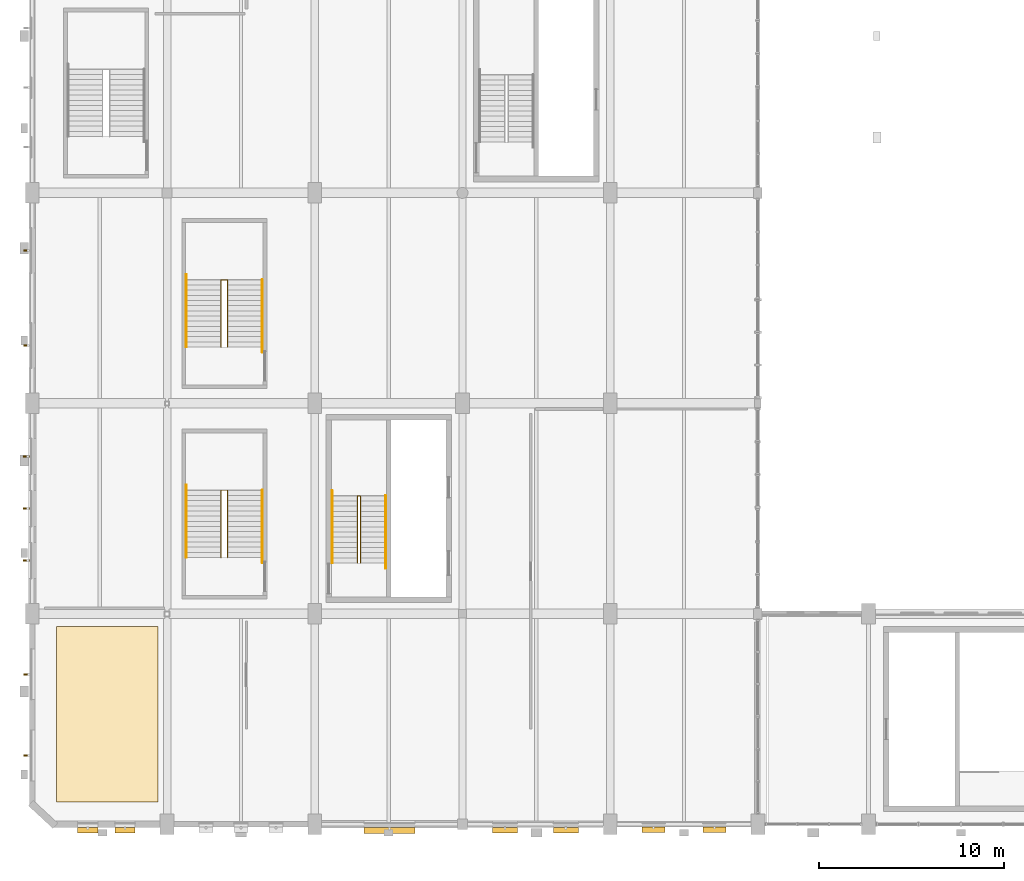
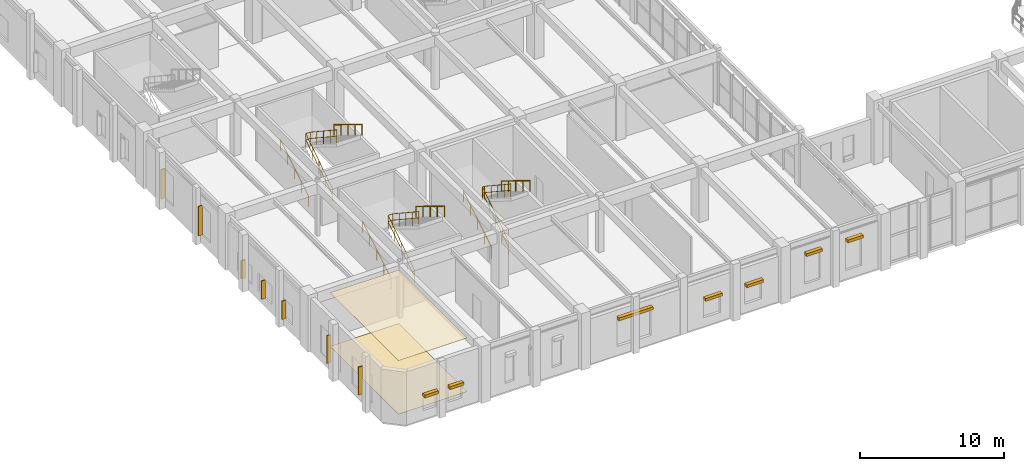
# One storey, part 96 of 106: 14 shading devices, 9 railings, 2 coverings.
"""IFC4 building model written with IfcOpenShell, lengths in metres."""

from ifc_helpers import new_model, si_unit, direction, frame, origin, origin_2d, place, context, subcontext, project, spatial, polyline, rectangle, circle, outline, extrude, material, layer, layer_set, type_object, element, save


model = new_model("IFC4")

# Units and contexts
model_context = context("Model", 3, precision=1e-05, world=origin(), true_north=direction((0.0, 1.0)))
body_context = subcontext(model_context, "Body", "Model", "MODEL_VIEW")
ifc_project = project(units=[si_unit("LENGTHUNIT", "METRE"), si_unit("AREAUNIT", "SQUARE_METRE"), si_unit("VOLUMEUNIT", "CUBIC_METRE"), si_unit("PLANEANGLEUNIT", "RADIAN"), si_unit("MASSUNIT", "GRAM", prefix="KILO"), si_unit("POWERUNIT", "WATT"), si_unit("THERMODYNAMICTEMPERATUREUNIT", "KELVIN")], contexts=[model_context])

# Site, building, storey
site_placement = place(None, origin())
site = spatial("IfcSite", under=ifc_project, at=site_placement, CompositionType="ELEMENT")
building_placement = place(site_placement, origin())
building = spatial("IfcBuilding", under=site, at=building_placement, Name="Kelmbourne Parkland Aquatics Centre", CompositionType="ELEMENT")
storey_placement = place(building_placement, frame((0.0, 0.0, 5.39990234375)))
storey = spatial("IfcBuildingStorey", under=building, at=storey_placement, Name="L01", CompositionType="ELEMENT", Elevation=5.39990234375)

# Coverings
ifc_material_1 = material(Name="Moisture-resistant acoustic mineral-fibre baffle ceiling", Category="gypsum")
ifc_layer_1 = layer(ifc_material_1, 0.02490234375)
ifc_layer_set_1 = layer_set([ifc_layer_1], Name="Moisture-resistant acoustic mineral-fibre baffle ceiling")
covering_type_1 = type_object("IfcCoveringType", Name="COV-CLG-AC", PredefinedType="CEILING", material=ifc_layer_set_1)
covering_1_placement = place(storey_placement, frame((0.0, 0.0, 4.53515625)))
element("IfcCovering", 1, at=covering_1_placement, inside=storey, type_object=covering_type_1, Name="Gym acoustic ceiling baffles", PredefinedType="CEILING", context=body_context, shape_type="SweptSolid", body=[
    extrude(outline(polyline([(2.0, 2.0), (7.5, 2.0), (7.5, 11.5), (2.0, 11.5), (2.0, 2.0)])), origin(), (0.0, 0.0, 1.0), 0.02490234375),
])
ifc_material_2 = material(Name="Anti-slip vitrified ceramic aquatic deck tile", Category="ceramic")
ifc_layer_2 = layer(ifc_material_2, 0.02001953125)
ifc_layer_set_2 = layer_set([ifc_layer_2], Name="Anti-slip vitrified ceramic aquatic deck tile")
covering_type_2 = type_object("IfcCoveringType", Name="COV-FLR-TILE", PredefinedType="FLOORING", material=ifc_layer_set_2)
covering_2_placement = place(storey_placement, origin())
element("IfcCovering", 2, at=covering_2_placement, inside=storey, type_object=covering_type_2, Name="Gym anti-slip floor tiling", PredefinedType="FLOORING", context=body_context, shape_type="SweptSolid", body=[
    extrude(outline(polyline([(2.0, 2.0), (7.5, 2.0), (7.5, 11.5), (2.0, 11.5), (2.0, 2.0)])), origin(), (0.0, 0.0, 1.0), 0.02001953125),
])

# Railings
ifc_material_3 = material(Name="Grade 316 marine stainless steel", Category="steel")
railing_type_1 = type_object("IfcRailingType", Name="RL-GD-112", PredefinedType="GUARDRAIL", material=ifc_material_3)
railing_1_placement = place(storey_placement, frame((18.307373046875, 14.949951171875, 0.0)))
element("IfcRailing", 3, at=railing_1_placement, inside=storey, type_object=railing_type_1, Name="West Wing South Fire-Fighting Core Stair ST01 well guardrail", PredefinedType="GUARDRAIL", context=body_context, shape_type="SweptSolid", body=[
    extrude(circle(Radius=0.02392578125, at=origin_2d()), frame((0.0, 0.0, 1.09619140625), z_axis=(0.0, 0.834856447115, 0.55046772177), x_axis=(-1.0, 0.0, 0.0)), (0.0, 0.0, 1.0), 4.360107421875),
    extrude(circle(Radius=0.02392578125, at=origin_2d()), frame((0.0, 0.0, 0.56005859375), z_axis=(0.0, 0.834856447115, 0.55046772177), x_axis=(-1.0, 0.0, 0.0)), (0.0, 0.0, 1.0), 4.360107421875),
    extrude(circle(Radius=0.02392578125, at=origin_2d()), frame((0.0, 3.64013671875, 3.49609375), z_axis=(1.0, 0.0, 0.0), x_axis=(0.0, 1.0, 0.0)), (0.0, 0.0, 1.0), 0.16015625),
    extrude(circle(Radius=0.02392578125, at=origin_2d()), frame((0.0, 3.64013671875, 2.960205078125), z_axis=(1.0, 0.0, 0.0), x_axis=(0.0, 1.0, 0.0)), (0.0, 0.0, 1.0), 0.16015625),
    extrude(circle(Radius=0.02392578125, at=origin_2d()), frame((0.16015625, 3.64013671875, 3.49609375), z_axis=(0.0, -0.83488217925, 0.55042869363), x_axis=(1.0, 0.0, 0.0)), (0.0, 0.0, 1.0), 4.360107421875),
    extrude(circle(Radius=0.02392578125, at=origin_2d()), frame((0.16015625, 3.64013671875, 2.960205078125), z_axis=(0.0, -0.83488217925, 0.55042869363), x_axis=(1.0, 0.0, 0.0)), (0.0, 0.0, 1.0), 4.360107421875),
    extrude(circle(Radius=0.02099609375, at=origin_2d()), origin(), (0.0, 0.0, 1.0), 1.072021484375),
    extrude(circle(Radius=0.02099609375, at=origin_2d()), frame((0.0, 0.91015625, 0.60009765625)), (0.0, 0.0, 1.0), 1.072021484375),
    extrude(circle(Radius=0.02099609375, at=origin_2d()), frame((0.0, 1.820068359375, 1.2001953125)), (0.0, 0.0, 1.0), 1.072021484375),
    extrude(circle(Radius=0.02099609375, at=origin_2d()), frame((0.0, 2.72998046875, 1.800048828125)), (0.0, 0.0, 1.0), 1.072021484375),
    extrude(circle(Radius=0.02099609375, at=origin_2d()), frame((0.0, 3.64013671875, 2.400146484375)), (0.0, 0.0, 1.0), 1.072021484375),
    extrude(circle(Radius=0.02099609375, at=origin_2d()), frame((0.16015625, 3.64013671875, 2.400146484375)), (0.0, 0.0, 1.0), 1.072021484375),
    extrude(circle(Radius=0.02099609375, at=origin_2d()), frame((0.16015625, 2.72998046875, 3.0)), (0.0, 0.0, 1.0), 1.072021484375),
    extrude(circle(Radius=0.02099609375, at=origin_2d()), frame((0.16015625, 1.820068359375, 3.60009765625)), (0.0, 0.0, 1.0), 1.072021484375),
    extrude(circle(Radius=0.02099609375, at=origin_2d()), frame((0.16015625, 0.91015625, 4.2001953125)), (0.0, 0.0, 1.0), 1.072021484375),
    extrude(circle(Radius=0.02099609375, at=origin_2d()), frame((0.16015625, 0.0, 4.800048828125)), (0.0, 0.0, 1.0), 1.072021484375),
])
railing_2_placement = place(storey_placement, frame((10.919921875, 15.25, 0.0)))
element("IfcRailing", 4, at=railing_2_placement, inside=storey, type_object=railing_type_1, Name="West South Perimeter Exit Stair well guardrail", PredefinedType="GUARDRAIL", context=body_context, shape_type="SweptSolid", body=[
    extrude(circle(Radius=0.02392578125, at=origin_2d()), frame((0.0, 0.0, 1.09619140625), z_axis=(0.0, 0.834839479206, 0.550493454965), x_axis=(-1.0, 0.0, 0.0)), (0.0, 0.0, 1.0), 4.360107421875),
    extrude(circle(Radius=0.02392578125, at=origin_2d()), frame((0.0, 0.0, 0.56005859375), z_axis=(0.0, 0.834839479206, 0.550493454965), x_axis=(-1.0, 0.0, 0.0)), (0.0, 0.0, 1.0), 4.360107421875),
    extrude(circle(Radius=0.02392578125, at=origin_2d()), frame((0.0, 3.639892578125, 3.49609375), z_axis=(1.0, 0.0, 0.0), x_axis=(0.0, 1.0, 0.0)), (0.0, 0.0, 1.0), 0.360107421875),
    extrude(circle(Radius=0.02392578125, at=origin_2d()), frame((0.0, 3.639892578125, 2.960205078125), z_axis=(1.0, 0.0, 0.0), x_axis=(0.0, 1.0, 0.0)), (0.0, 0.0, 1.0), 0.360107421875),
    extrude(circle(Radius=0.02392578125, at=origin_2d()), frame((0.360107421875, 3.639892578125, 3.49609375), z_axis=(0.0, -0.834865213223, 0.550454426587), x_axis=(1.0, 0.0, 0.0)), (0.0, 0.0, 1.0), 4.35986328125),
    extrude(circle(Radius=0.02392578125, at=origin_2d()), frame((0.360107421875, 3.639892578125, 2.960205078125), z_axis=(0.0, -0.834865213223, 0.550454426587), x_axis=(1.0, 0.0, 0.0)), (0.0, 0.0, 1.0), 4.35986328125),
    extrude(circle(Radius=0.02099609375, at=origin_2d()), origin(), (0.0, 0.0, 1.0), 1.072021484375),
    extrude(circle(Radius=0.02099609375, at=origin_2d()), frame((0.0, 0.909912109375, 0.60009765625)), (0.0, 0.0, 1.0), 1.072021484375),
    extrude(circle(Radius=0.02099609375, at=origin_2d()), frame((0.0, 1.81982421875, 1.2001953125)), (0.0, 0.0, 1.0), 1.072021484375),
    extrude(circle(Radius=0.02099609375, at=origin_2d()), frame((0.0, 2.72998046875, 1.800048828125)), (0.0, 0.0, 1.0), 1.072021484375),
    extrude(circle(Radius=0.02099609375, at=origin_2d()), frame((0.0, 3.639892578125, 2.400146484375)), (0.0, 0.0, 1.0), 1.072021484375),
    extrude(circle(Radius=0.02099609375, at=origin_2d()), frame((0.360107421875, 3.639892578125, 2.400146484375)), (0.0, 0.0, 1.0), 1.072021484375),
    extrude(circle(Radius=0.02099609375, at=origin_2d()), frame((0.360107421875, 2.72998046875, 3.0)), (0.0, 0.0, 1.0), 1.072021484375),
    extrude(circle(Radius=0.02099609375, at=origin_2d()), frame((0.360107421875, 1.81982421875, 3.60009765625)), (0.0, 0.0, 1.0), 1.072021484375),
    extrude(circle(Radius=0.02099609375, at=origin_2d()), frame((0.360107421875, 0.909912109375, 4.2001953125)), (0.0, 0.0, 1.0), 1.072021484375),
    extrude(circle(Radius=0.02099609375, at=origin_2d()), frame((0.360107421875, 0.0, 4.800048828125)), (0.0, 0.0, 1.0), 1.072021484375),
])
railing_3_placement = place(storey_placement, frame((10.919921875, 26.64990234375, 0.0)))
element("IfcRailing", 5, at=railing_3_placement, inside=storey, type_object=railing_type_1, Name="West Central Park Exit Stair well guardrail", PredefinedType="GUARDRAIL", context=body_context, shape_type="SweptSolid", body=[
    extrude(circle(Radius=0.02392578125, at=origin_2d()), frame((0.0, 0.0, 1.09619140625), z_axis=(0.0, 0.834856447115, 0.55046772177), x_axis=(-1.0, 0.0, 0.0)), (0.0, 0.0, 1.0), 4.360107421875),
    extrude(circle(Radius=0.02392578125, at=origin_2d()), frame((0.0, 0.0, 0.56005859375), z_axis=(0.0, 0.834856447115, 0.55046772177), x_axis=(-1.0, 0.0, 0.0)), (0.0, 0.0, 1.0), 4.360107421875),
    extrude(circle(Radius=0.02392578125, at=origin_2d()), frame((0.0, 3.64013671875, 3.49609375), z_axis=(1.0, 0.0, 0.0), x_axis=(0.0, 1.0, 0.0)), (0.0, 0.0, 1.0), 0.360107421875),
    extrude(circle(Radius=0.02392578125, at=origin_2d()), frame((0.0, 3.64013671875, 2.960205078125), z_axis=(1.0, 0.0, 0.0), x_axis=(0.0, 1.0, 0.0)), (0.0, 0.0, 1.0), 0.360107421875),
    extrude(circle(Radius=0.02392578125, at=origin_2d()), frame((0.360107421875, 3.64013671875, 3.49609375), z_axis=(0.0, -0.83488217925, 0.55042869363), x_axis=(1.0, 0.0, 0.0)), (0.0, 0.0, 1.0), 4.360107421875),
    extrude(circle(Radius=0.02392578125, at=origin_2d()), frame((0.360107421875, 3.64013671875, 2.960205078125), z_axis=(0.0, -0.83488217925, 0.55042869363), x_axis=(1.0, 0.0, 0.0)), (0.0, 0.0, 1.0), 4.360107421875),
    extrude(circle(Radius=0.02099609375, at=origin_2d()), origin(), (0.0, 0.0, 1.0), 1.072021484375),
    extrude(circle(Radius=0.02099609375, at=origin_2d()), frame((0.0, 0.91015625, 0.60009765625)), (0.0, 0.0, 1.0), 1.072021484375),
    extrude(circle(Radius=0.02099609375, at=origin_2d()), frame((0.0, 1.820068359375, 1.2001953125)), (0.0, 0.0, 1.0), 1.072021484375),
    extrude(circle(Radius=0.02099609375, at=origin_2d()), frame((0.0, 2.72998046875, 1.800048828125)), (0.0, 0.0, 1.0), 1.072021484375),
    extrude(circle(Radius=0.02099609375, at=origin_2d()), frame((0.0, 3.64013671875, 2.400146484375)), (0.0, 0.0, 1.0), 1.072021484375),
    extrude(circle(Radius=0.02099609375, at=origin_2d()), frame((0.360107421875, 3.64013671875, 2.400146484375)), (0.0, 0.0, 1.0), 1.072021484375),
    extrude(circle(Radius=0.02099609375, at=origin_2d()), frame((0.360107421875, 2.72998046875, 3.0)), (0.0, 0.0, 1.0), 1.072021484375),
    extrude(circle(Radius=0.02099609375, at=origin_2d()), frame((0.360107421875, 1.820068359375, 3.60009765625)), (0.0, 0.0, 1.0), 1.072021484375),
    extrude(circle(Radius=0.02099609375, at=origin_2d()), frame((0.360107421875, 0.91015625, 4.2001953125)), (0.0, 0.0, 1.0), 1.072021484375),
    extrude(circle(Radius=0.02099609375, at=origin_2d()), frame((0.360107421875, 0.0, 4.800048828125)), (0.0, 0.0, 1.0), 1.072021484375),
])
railing_type_2 = type_object("IfcRailingType", Name="RL-HR-92", PredefinedType="HANDRAIL", material=ifc_material_3)
railing_4_placement = place(storey_placement, frame((16.93994140625, 14.949951171875, 0.17138671875)))
element("IfcRailing", 6, at=railing_4_placement, inside=storey, type_object=railing_type_2, Name="West Wing South Fire-Fighting Core Stair ST01 F1 handrail", PredefinedType="HANDRAIL", context=body_context, shape_type="SweptSolid", body=[
    extrude(circle(Radius=0.02392578125, at=origin_2d()), frame((0.0, 0.0, 0.89599609375), z_axis=(0.0, 0.852846959695, 0.522160955394), x_axis=(-1.0, 0.0, 0.0)), (0.0, 0.0, 1.0), 4.5966796875),
    extrude(circle(Radius=0.02099609375, at=origin_2d()), origin(), (0.0, 0.0, 1.0), 0.871826171875),
    extrude(circle(Radius=0.02099609375, at=origin_2d()), frame((0.0, 0.97998046875, 0.60009765625)), (0.0, 0.0, 1.0), 0.871826171875),
    extrude(circle(Radius=0.02099609375, at=origin_2d()), frame((0.0, 1.9599609375, 1.2001953125)), (0.0, 0.0, 1.0), 0.871826171875),
    extrude(circle(Radius=0.02099609375, at=origin_2d()), frame((0.0, 2.940185546875, 1.800048828125)), (0.0, 0.0, 1.0), 0.871826171875),
    extrude(circle(Radius=0.02099609375, at=origin_2d()), frame((0.0, 3.920166015625, 2.400146484375)), (0.0, 0.0, 1.0), 0.871826171875),
])
railing_5_placement = place(storey_placement, frame((19.8349609375, 18.590087890625, 2.571533203125)))
element("IfcRailing", 7, at=railing_5_placement, inside=storey, type_object=railing_type_2, Name="West Wing South Fire-Fighting Core Stair ST01 F2 handrail", PredefinedType="HANDRAIL", context=body_context, shape_type="SweptSolid", body=[
    extrude(circle(Radius=0.02392578125, at=origin_2d()), frame((0.0, 0.0, 0.89599609375), z_axis=(0.0, -0.852870612257, 0.522122321634), x_axis=(1.0, 0.0, 0.0)), (0.0, 0.0, 1.0), 4.596435546875),
    extrude(circle(Radius=0.02099609375, at=origin_2d()), origin(), (0.0, 0.0, 1.0), 0.871826171875),
    extrude(circle(Radius=0.02099609375, at=origin_2d()), frame((0.0, -0.97998046875, 0.60009765625)), (0.0, 0.0, 1.0), 0.871826171875),
    extrude(circle(Radius=0.02099609375, at=origin_2d()), frame((0.0, -1.9599609375, 1.199951171875)), (0.0, 0.0, 1.0), 0.871826171875),
    extrude(circle(Radius=0.02099609375, at=origin_2d()), frame((0.0, -2.940185546875, 1.7998046875)), (0.0, 0.0, 1.0), 0.871826171875),
    extrude(circle(Radius=0.02099609375, at=origin_2d()), frame((0.0, -3.920166015625, 2.39990234375)), (0.0, 0.0, 1.0), 0.871826171875),
])
railing_6_placement = place(storey_placement, frame((9.0400390625, 15.25, 0.17138671875)))
element("IfcRailing", 8, at=railing_6_placement, inside=storey, type_object=railing_type_2, Name="West South Perimeter Exit Stair F1 handrail", PredefinedType="HANDRAIL", context=body_context, shape_type="SweptSolid", body=[
    extrude(circle(Radius=0.02392578125, at=origin_2d()), frame((0.0, 0.0, 0.89599609375), z_axis=(0.0, 0.852832477147, 0.522184609045), x_axis=(-1.0, 0.0, 0.0)), (0.0, 0.0, 1.0), 4.596435546875),
    extrude(circle(Radius=0.02099609375, at=origin_2d()), origin(), (0.0, 0.0, 1.0), 0.871826171875),
    extrude(circle(Radius=0.02099609375, at=origin_2d()), frame((0.0, 0.97998046875, 0.60009765625)), (0.0, 0.0, 1.0), 0.871826171875),
    extrude(circle(Radius=0.02099609375, at=origin_2d()), frame((0.0, 1.9599609375, 1.2001953125)), (0.0, 0.0, 1.0), 0.871826171875),
    extrude(circle(Radius=0.02099609375, at=origin_2d()), frame((0.0, 2.93994140625, 1.800048828125)), (0.0, 0.0, 1.0), 0.871826171875),
    extrude(circle(Radius=0.02099609375, at=origin_2d()), frame((0.0, 3.919921875, 2.400146484375)), (0.0, 0.0, 1.0), 0.871826171875),
])
railing_7_placement = place(storey_placement, frame((13.159912109375, 18.889892578125, 2.571533203125)))
element("IfcRailing", 9, at=railing_7_placement, inside=storey, type_object=railing_type_2, Name="West South Perimeter Exit Stair F2 handrail", PredefinedType="HANDRAIL", context=body_context, shape_type="SweptSolid", body=[
    extrude(circle(Radius=0.02392578125, at=origin_2d()), frame((0.0, 0.0, 0.89599609375), z_axis=(0.0, -0.852856131449, 0.522145974847), x_axis=(1.0, 0.0, 0.0)), (0.0, 0.0, 1.0), 4.59619140625),
    extrude(circle(Radius=0.02099609375, at=origin_2d()), origin(), (0.0, 0.0, 1.0), 0.871826171875),
    extrude(circle(Radius=0.02099609375, at=origin_2d()), frame((0.0, -0.97998046875, 0.60009765625)), (0.0, 0.0, 1.0), 0.871826171875),
    extrude(circle(Radius=0.02099609375, at=origin_2d()), frame((0.0, -1.9599609375, 1.199951171875)), (0.0, 0.0, 1.0), 0.871826171875),
    extrude(circle(Radius=0.02099609375, at=origin_2d()), frame((0.0, -2.93994140625, 1.7998046875)), (0.0, 0.0, 1.0), 0.871826171875),
    extrude(circle(Radius=0.02099609375, at=origin_2d()), frame((0.0, -3.919921875, 2.39990234375)), (0.0, 0.0, 1.0), 0.871826171875),
])
railing_8_placement = place(storey_placement, frame((9.0400390625, 26.64990234375, 0.17138671875)))
element("IfcRailing", 10, at=railing_8_placement, inside=storey, type_object=railing_type_2, Name="West Central Park Exit Stair F1 handrail", PredefinedType="HANDRAIL", context=body_context, shape_type="SweptSolid", body=[
    extrude(circle(Radius=0.02392578125, at=origin_2d()), frame((0.0, 0.0, 0.89599609375), z_axis=(0.0, 0.852846959695, 0.522160955394), x_axis=(-1.0, 0.0, 0.0)), (0.0, 0.0, 1.0), 4.5966796875),
    extrude(circle(Radius=0.02099609375, at=origin_2d()), origin(), (0.0, 0.0, 1.0), 0.871826171875),
    extrude(circle(Radius=0.02099609375, at=origin_2d()), frame((0.0, 0.97998046875, 0.60009765625)), (0.0, 0.0, 1.0), 0.871826171875),
    extrude(circle(Radius=0.02099609375, at=origin_2d()), frame((0.0, 1.9599609375, 1.2001953125)), (0.0, 0.0, 1.0), 0.871826171875),
    extrude(circle(Radius=0.02099609375, at=origin_2d()), frame((0.0, 2.940185546875, 1.800048828125)), (0.0, 0.0, 1.0), 0.871826171875),
    extrude(circle(Radius=0.02099609375, at=origin_2d()), frame((0.0, 3.920166015625, 2.400146484375)), (0.0, 0.0, 1.0), 0.871826171875),
])
railing_9_placement = place(storey_placement, frame((13.159912109375, 30.2900390625, 2.571533203125)))
element("IfcRailing", 11, at=railing_9_placement, inside=storey, type_object=railing_type_2, Name="West Central Park Exit Stair F2 handrail", PredefinedType="HANDRAIL", context=body_context, shape_type="SweptSolid", body=[
    extrude(circle(Radius=0.02392578125, at=origin_2d()), frame((0.0, 0.0, 0.89599609375), z_axis=(0.0, -0.852856131449, 0.522145974847), x_axis=(1.0, 0.0, 0.0)), (0.0, 0.0, 1.0), 4.59619140625),
    extrude(circle(Radius=0.02099609375, at=origin_2d()), origin(), (0.0, 0.0, 1.0), 0.871826171875),
    extrude(circle(Radius=0.02099609375, at=origin_2d()), frame((0.0, -0.97998046875, 0.60009765625)), (0.0, 0.0, 1.0), 0.871826171875),
    extrude(circle(Radius=0.02099609375, at=origin_2d()), frame((0.0, -1.9599609375, 1.199951171875)), (0.0, 0.0, 1.0), 0.871826171875),
    extrude(circle(Radius=0.02099609375, at=origin_2d()), frame((0.0, -2.93994140625, 1.7998046875)), (0.0, 0.0, 1.0), 0.871826171875),
    extrude(circle(Radius=0.02099609375, at=origin_2d()), frame((0.0, -3.919921875, 2.39990234375)), (0.0, 0.0, 1.0), 0.871826171875),
])

# Shading devices
ifc_material_4 = material(Name="Architectural extruded terracotta baguettes", Category="masonry")
shading_device_type_1 = type_object("IfcShadingDeviceType", Name="SHD-FIN-1", PredefinedType="USERDEFINED", material=ifc_material_4)
for number, where, z_axis, x_axis, name in (
    (12, (0.405029296875, 4.52490234375, 0.75), (0.0, 0.0, 1.0), (0.0, 1.0, 0.0), "Terracotta vertical solar fin 073"),
    (13, (0.405029296875, 8.923095703125, 0.75), (0.0, 0.0, 1.0), (0.0, 1.0, 0.0), "Terracotta vertical solar fin 074"),
):
    element("IfcShadingDevice", number, at=place(storey_placement, frame(where, z_axis=z_axis, x_axis=x_axis)), inside=storey, type_object=shading_device_type_1, Name=name, ObjectType="SOLAR FIN", PredefinedType="USERDEFINED", context=body_context, shape_type="SweptSolid", body=[
        extrude(rectangle(XDim=0.080078125, YDim=0.320068359375, at=origin_2d()), origin(), (0.0, 0.0, 1.0), 2.35009765625),
    ])
for number, where, z_axis, x_axis, name in (
    (14, (0.364990234375, 15.076904296875, 0.75), (0.0, 0.0, 1.0), (0.0, 1.0, 0.0), "Terracotta vertical solar fin 075"),
    (15, (0.364990234375, 17.89990234375, 0.75), (0.0, 0.0, 1.0), (0.0, 1.0, 0.0), "Terracotta vertical solar fin 076"),
    (16, (0.364990234375, 20.722900390625, 0.75), (0.0, 0.0, 1.0), (0.0, 1.0, 0.0), "Terracotta vertical solar fin 077"),
):
    element("IfcShadingDevice", number, at=place(storey_placement, frame(where, z_axis=z_axis, x_axis=x_axis)), inside=storey, type_object=shading_device_type_1, Name=name, ObjectType="SOLAR FIN", PredefinedType="USERDEFINED", context=body_context, shape_type="SweptSolid", body=[
        extrude(rectangle(XDim=0.080078125, YDim=0.320068359375, at=origin_2d()), origin(), (0.0, 0.0, 1.0), 1.550048828125),
    ])
for number, where, z_axis, x_axis, name in (
    (17, (0.385009765625, 26.72705078125, 0.75), (0.0, 0.0, 1.0), (0.0, 1.0, 0.0), "Terracotta vertical solar fin 078"),
    (18, (0.385009765625, 31.873046875, 0.75), (0.0, 0.0, 1.0), (0.0, 1.0, 0.0), "Terracotta vertical solar fin 079"),
):
    element("IfcShadingDevice", number, at=place(storey_placement, frame(where, z_axis=z_axis, x_axis=x_axis)), inside=storey, type_object=shading_device_type_1, Name=name, ObjectType="SOLAR FIN", PredefinedType="USERDEFINED", context=body_context, shape_type="SweptSolid", body=[
        extrude(rectangle(XDim=0.080078125, YDim=0.320068359375, at=origin_2d()), origin(), (0.0, 0.0, 1.0), 2.5),
    ])
shading_device_type_2 = type_object("IfcShadingDeviceType", Name="SHD-JAL-1", PredefinedType="JALOUSIE", material=ifc_material_4)
for number, where, z_axis, x_axis, name in (
    (19, (3.699951171875, 0.485107421875, 2.0), (0.0, 0.0, 1.0), (1.0, 0.0, 0.0), "Terracotta horizontal jalousie hood 094"),
    (20, (5.722900390625, 0.485107421875, 2.0), (0.0, 0.0, 1.0), (1.0, 0.0, 0.0), "Terracotta horizontal jalousie hood 095"),
):
    element("IfcShadingDevice", number, at=place(storey_placement, frame(where, z_axis=z_axis, x_axis=x_axis)), inside=storey, type_object=shading_device_type_2, Name=name, PredefinedType="JALOUSIE", context=body_context, shape_type="SweptSolid", body=[
        extrude(rectangle(XDim=1.10009765625, YDim=0.300048828125, at=origin_2d()), origin(), (0.0, 0.0, 1.0), 0.239990234375),
    ])
shading_device_placement = place(storey_placement, frame((20.050048828125, 0.465087890625, 3.10009765625), z_axis=(0.0, 0.0, 1.0), x_axis=(1.0, 0.0, 0.0)))
element("IfcShadingDevice", 21, at=shading_device_placement, inside=storey, type_object=shading_device_type_2, Name="Terracotta horizontal jalousie hood 099", PredefinedType="JALOUSIE", context=body_context, shape_type="SweptSolid", body=[
    extrude(rectangle(XDim=2.75, YDim=0.300048828125, at=origin_2d()), origin(), (0.0, 0.0, 1.0), 0.239990234375),
])
for number, where, z_axis, x_axis, name in (
    (22, (26.302001953125, 0.485107421875, 2.30029296875), (0.0, 0.0, 1.0), (1.0, 0.0, 0.0), "Terracotta horizontal jalousie hood 100"),
    (23, (29.597900390625, 0.485107421875, 2.30029296875), (0.0, 0.0, 1.0), (1.0, 0.0, 0.0), "Terracotta horizontal jalousie hood 101"),
):
    element("IfcShadingDevice", number, at=place(storey_placement, frame(where, z_axis=z_axis, x_axis=x_axis)), inside=storey, type_object=shading_device_type_2, Name=name, PredefinedType="JALOUSIE", context=body_context, shape_type="SweptSolid", body=[
        extrude(rectangle(XDim=1.35009765625, YDim=0.300048828125, at=origin_2d()), origin(), (0.0, 0.0, 1.0), 0.239990234375),
    ])
for number, where, z_axis, x_axis, name in (
    (24, (34.35205078125, 0.5048828125, 3.25), (0.0, 0.0, 1.0), (1.0, 0.0, 0.0), "Terracotta horizontal jalousie hood 102"),
    (25, (37.64794921875, 0.5048828125, 3.25), (0.0, 0.0, 1.0), (1.0, 0.0, 0.0), "Terracotta horizontal jalousie hood 103"),
):
    element("IfcShadingDevice", number, at=place(storey_placement, frame(where, z_axis=z_axis, x_axis=x_axis)), inside=storey, type_object=shading_device_type_2, Name=name, PredefinedType="JALOUSIE", context=body_context, shape_type="SweptSolid", body=[
        extrude(rectangle(XDim=1.25, YDim=0.300048828125, at=origin_2d()), origin(), (0.0, 0.0, 1.0), 0.239990234375),
    ])

save(model, "model.ifc")
